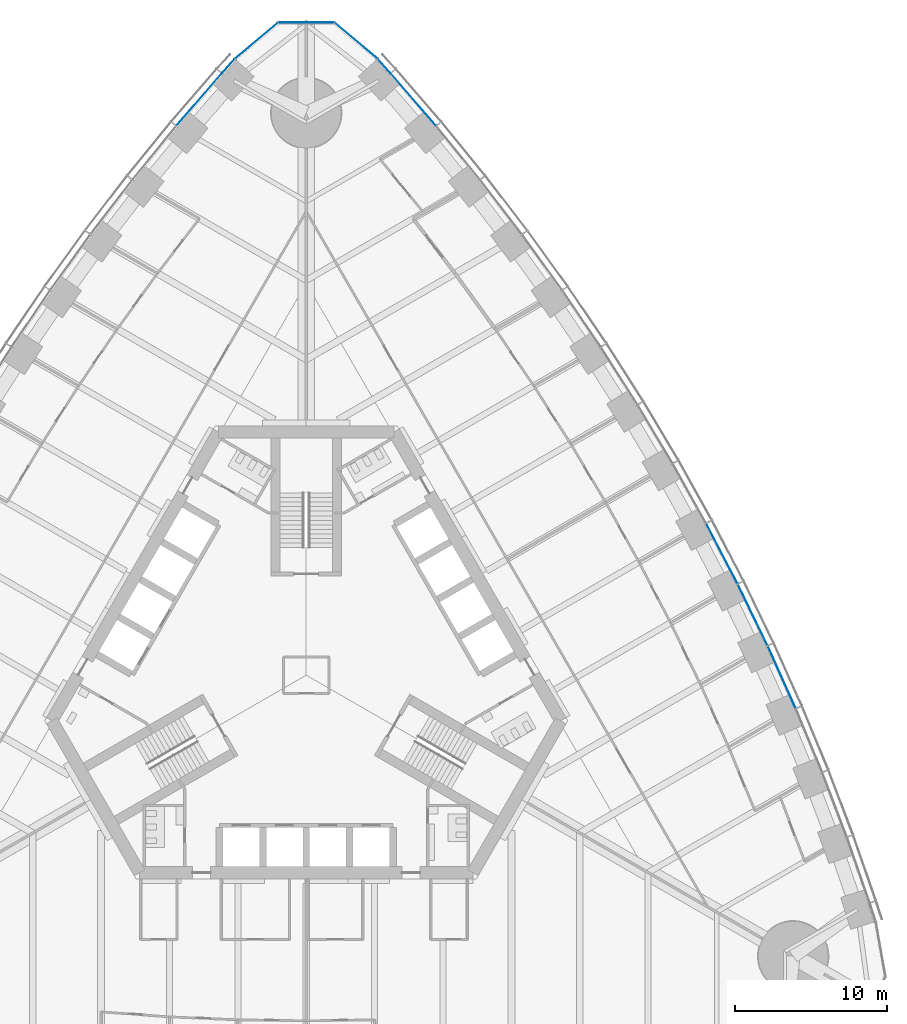
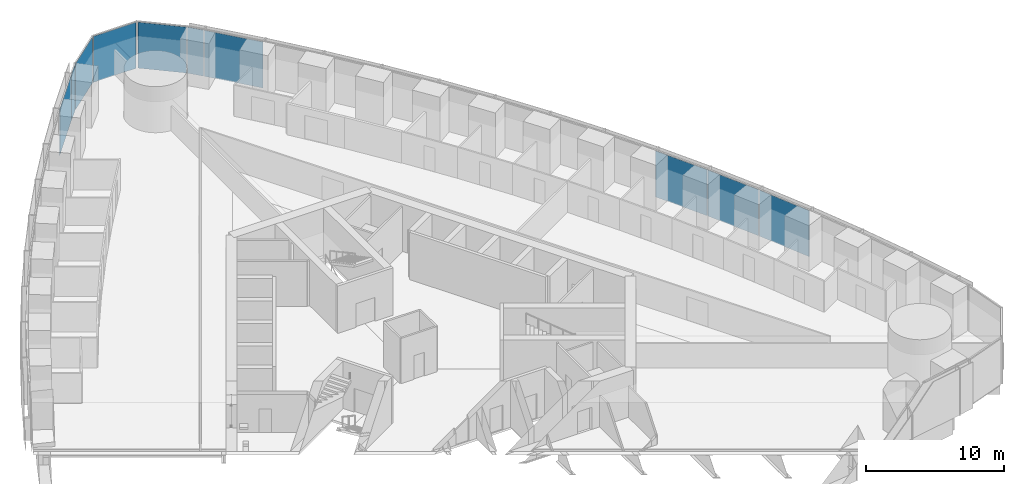
# One storey, part 9 of 18: 10 plates, 3 elements without a shape of their own.
"""IFC4 building model written with IfcOpenShell, lengths in metres."""

from ifc_helpers import new_model, si_unit, direction, frame, origin, origin_2d, place, context, subcontext, project, spatial, rectangle, extrude, material, layer, layer_set, type_object, element, aggregate, save


model = new_model("IFC4")

# Units and contexts
model_context = context("Model", 3, precision=1e-05, world=origin(), true_north=direction((0.0, 1.0)))
body_context = subcontext(model_context, "Body", "Model", "MODEL_VIEW")
ifc_project = project(units=[si_unit("LENGTHUNIT", "METRE"), si_unit("AREAUNIT", "SQUARE_METRE"), si_unit("VOLUMEUNIT", "CUBIC_METRE"), si_unit("PLANEANGLEUNIT", "RADIAN"), si_unit("MASSUNIT", "GRAM", prefix="KILO")], contexts=[model_context])

# Site, building, storey
site_placement = place(None, origin())
site = spatial("IfcSite", under=ifc_project, at=site_placement, CompositionType="ELEMENT")
building_placement = place(site_placement, origin())
building = spatial("IfcBuilding", under=site, at=building_placement, Name="Trefoil Bronze Tower", CompositionType="ELEMENT")
storey_placement = place(building_placement, frame((0.0, 0.0, 75.300048828125)))
storey = spatial("IfcBuildingStorey", under=building, at=storey_placement, Name="L17", CompositionType="ELEMENT", Elevation=75.300048828125)

# Curtain wall, plates
ifc_material_1 = material(Name="Tinted solar-control glass", Category="glass")
curtain_wall_type_1 = type_object("IfcCurtainWallType", Name="Bronze office curtain wall", PredefinedType="USERDEFINED", material=ifc_material_1)
curtain_wall_1_placement = place(storey_placement, origin())
curtain_wall_1 = element("IfcCurtainWall", 1, at=curtain_wall_1_placement, inside=storey, type_object=curtain_wall_type_1, Name="CW-A L17 F2", ObjectType="CURTAIN WALL", PredefinedType="USERDEFINED")
ifc_material_2 = material(Name="Tinted solar-control glass", Category="glass")
ifc_layer_1 = layer(ifc_material_2, 0.030029296875)
ifc_layer_set_1 = layer_set([ifc_layer_1], Name="Bronze office curtain wall glass panel")
plate_type_1 = type_object("IfcPlateType", Name="Bronze office curtain wall glass panel", PredefinedType="CURTAIN_PANEL", material=ifc_layer_set_1)
plate_1_placement = place(storey_placement, frame((31.28857421875, -0.1337890625, 0.0), z_axis=(0.0, 0.0, 1.0), x_axis=(-0.40945635808, 0.912329705111, 0.0)))
plate_1 = element("IfcPlate", 2, at=plate_1_placement, type_object=plate_type_1, Name="CW-A L17 F2 panel 5", PredefinedType="CURTAIN_PANEL", context=body_context, shape_type="SweptSolid", body=[
    extrude(rectangle(XDim=4.443359375, YDim=0.030029296875, at=origin_2d()), origin(), (0.0, 0.0, 1.0), 4.080078125),
])
plate_2_placement = place(storey_placement, frame((29.3779296875, 3.962646484375, 0.0), z_axis=(0.0, 0.0, 1.0), x_axis=(-0.4358553457, 0.900016731858, 0.0)))
plate_2 = element("IfcPlate", 3, at=plate_2_placement, type_object=plate_type_1, Name="CW-A L17 F2 panel 6", PredefinedType="CURTAIN_PANEL", context=body_context, shape_type="SweptSolid", body=[
    extrude(rectangle(XDim=4.431884765625, YDim=0.030029296875, at=origin_2d()), origin(), (0.0, 0.0, 1.0), 4.080078125),
])
plate_3_placement = place(storey_placement, frame((27.353271484375, 7.9931640625, 0.0), z_axis=(0.0, 0.0, 1.0), x_axis=(-0.46182981834, 0.886968555752, 0.0)))
plate_3 = element("IfcPlate", 4, at=plate_3_placement, type_object=plate_type_1, Name="CW-A L17 F2 panel 7", PredefinedType="CURTAIN_PANEL", context=body_context, shape_type="SweptSolid", body=[
    extrude(rectangle(XDim=4.42431640625, YDim=0.030029296875, at=origin_2d()), origin(), (0.0, 0.0, 1.0), 4.080078125),
])
plate_4_placement = place(storey_placement, frame((7.056396484375, 37.870849609375, 0.0), z_axis=(0.0, 0.0, 1.0), x_axis=(-0.654376090833, 0.756169248083, 0.0)))
plate_4 = element("IfcPlate", 5, at=plate_4_placement, type_object=plate_type_1, Name="CW-A L17 F2 panel 15", PredefinedType="CURTAIN_PANEL", context=body_context, shape_type="SweptSolid", body=[
    extrude(rectangle(XDim=4.502197265625, YDim=0.030029296875, at=origin_2d()), origin(), (0.0, 0.0, 1.0), 4.080078125),
])
plate_5_placement = place(storey_placement, frame((5.12451171875, 40.08447265625, 0.0), z_axis=(0.0, 0.0, 1.0), x_axis=(-0.668575006272, 0.743644714221, 0.0)))
plate_5 = element("IfcPlate", 6, at=plate_5_placement, type_object=plate_type_1, Name="CW-A L17 F2 panel 16", PredefinedType="CURTAIN_PANEL", context=body_context, shape_type="SweptSolid", body=[
    extrude(rectangle(XDim=1.21044921875, YDim=0.030029296875, at=origin_2d()), origin(), (0.0, 0.0, 1.0), 4.080078125),
])
aggregate(curtain_wall_1, [plate_1, plate_2, plate_3, plate_4, plate_5])

curtain_wall_2_placement = place(storey_placement, origin())
curtain_wall_2 = element("IfcCurtainWall", 7, at=curtain_wall_2_placement, inside=storey, type_object=curtain_wall_type_1, Name="CW-A L17 F3", ObjectType="CURTAIN WALL", PredefinedType="USERDEFINED")
plate_6_placement = place(storey_placement, frame((-5.12451171875, 40.08447265625, 0.0), z_axis=(0.0, 0.0, 1.0), x_axis=(-0.668575006272, -0.743644714221, 0.0)))
plate_6 = element("IfcPlate", 8, at=plate_6_placement, type_object=plate_type_1, Name="CW-A L17 F3 panel 1", PredefinedType="CURTAIN_PANEL", context=body_context, shape_type="SweptSolid", body=[
    extrude(rectangle(XDim=1.21044921875, YDim=0.030029296875, at=origin_2d()), origin(), (0.0, 0.0, 1.0), 4.080078125),
])
plate_7_placement = place(storey_placement, frame((-7.056396484375, 37.870849609375, 0.0), z_axis=(0.0, 0.0, 1.0), x_axis=(-0.654376090833, -0.756169248083, 0.0)))
plate_7 = element("IfcPlate", 9, at=plate_7_placement, type_object=plate_type_1, Name="CW-A L17 F3 panel 2", PredefinedType="CURTAIN_PANEL", context=body_context, shape_type="SweptSolid", body=[
    extrude(rectangle(XDim=4.502197265625, YDim=0.030029296875, at=origin_2d()), origin(), (0.0, 0.0, 1.0), 4.080078125),
])
aggregate(curtain_wall_2, [plate_6, plate_7])

ifc_material_3 = material(Name="Tinted solar-control glass", Category="glass")
curtain_wall_type_2 = type_object("IfcCurtainWallType", Name="Bronze rounded corner curtain wall", PredefinedType="USERDEFINED", material=ifc_material_3)
curtain_wall_3_placement = place(storey_placement, origin())
curtain_wall_3 = element("IfcCurtainWall", 10, at=curtain_wall_3_placement, inside=storey, type_object=curtain_wall_type_2, Name="CW-B L17 K2", ObjectType="CURTAIN WALL", PredefinedType="USERDEFINED")
ifc_material_4 = material(Name="Tinted solar-control glass", Category="glass")
ifc_layer_2 = layer(ifc_material_4, 0.030029296875)
ifc_layer_set_2 = layer_set([ifc_layer_2], Name="Bronze rounded corner curtain wall glass panel")
plate_type_2 = type_object("IfcPlateType", Name="Bronze rounded corner curtain wall glass panel", PredefinedType="CURTAIN_PANEL", material=ifc_layer_set_2)
plate_8_placement = place(storey_placement, frame((3.28564453125, 41.74658203125, 0.0), z_axis=(0.0, 0.0, 1.0), x_axis=(-0.766044443119, 0.642787609687, 0.0)))
plate_8 = element("IfcPlate", 11, at=plate_8_placement, type_object=plate_type_2, Name="CW-B L17 K2 panel 1", PredefinedType="CURTAIN_PANEL", context=body_context, shape_type="SweptSolid", body=[
    extrude(rectangle(XDim=3.588134765625, YDim=0.030029296875, at=origin_2d()), origin(), (0.0, 0.0, 1.0), 4.080078125),
])
plate_9_placement = place(storey_placement, frame((0.0, 42.9423828125, 0.0), z_axis=(0.0, 0.0, 1.0), x_axis=(-1.0, 0.0, 0.0)))
plate_9 = element("IfcPlate", 12, at=plate_9_placement, type_object=plate_type_2, Name="CW-B L17 K2 panel 2", PredefinedType="CURTAIN_PANEL", context=body_context, shape_type="SweptSolid", body=[
    extrude(rectangle(XDim=3.588134765625, YDim=0.030029296875, at=origin_2d()), origin(), (0.0, 0.0, 1.0), 4.080078125),
])
plate_10_placement = place(storey_placement, frame((-3.28564453125, 41.74658203125, 0.0), z_axis=(0.0, 0.0, 1.0), x_axis=(-0.766044443119, -0.642787609687, 0.0)))
plate_10 = element("IfcPlate", 13, at=plate_10_placement, type_object=plate_type_2, Name="CW-B L17 K2 panel 3", PredefinedType="CURTAIN_PANEL", context=body_context, shape_type="SweptSolid", body=[
    extrude(rectangle(XDim=3.588134765625, YDim=0.030029296875, at=origin_2d()), origin(), (0.0, 0.0, 1.0), 4.080078125),
])
aggregate(curtain_wall_3, [plate_8, plate_9, plate_10])

save(model, "model.ifc")
